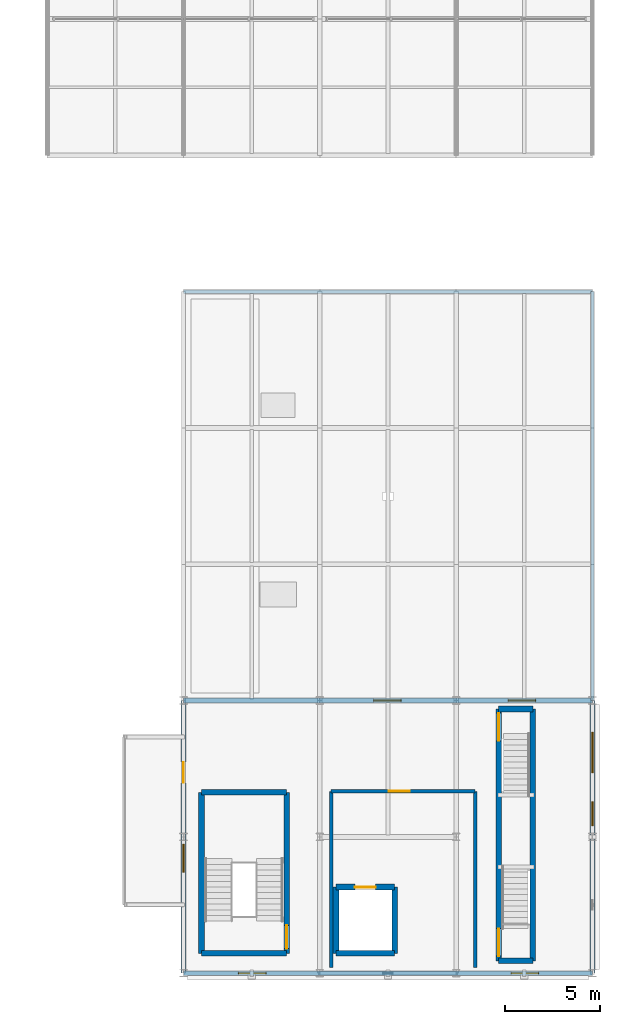
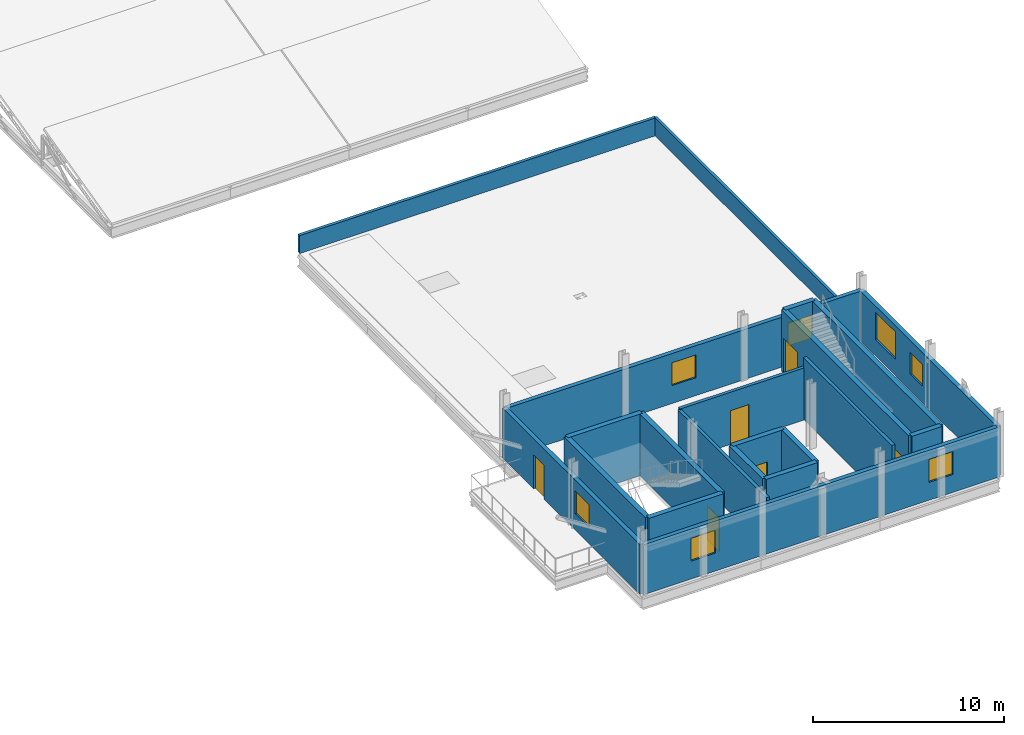
# One storey, part 104 of 144: 21 walls, 7 windows, 6 doors, 13 openings.
"""IFC4 building model written with IfcOpenShell, lengths in metres."""

from ifc_helpers import new_model, si_unit, direction, frame, frame_2d, origin, place, context, subcontext, project, spatial, rectangle, extrude, material, layer, layer_set, type_object, element, fill, save


model = new_model("IFC4")

# Units and contexts
model_context = context("Model", 3, precision=1e-05, world=origin(), true_north=direction((0.0, 1.0)))
body_context = subcontext(model_context, "Body", "Model", "MODEL_VIEW")
ifc_project = project(units=[si_unit("LENGTHUNIT", "METRE"), si_unit("AREAUNIT", "SQUARE_METRE"), si_unit("VOLUMEUNIT", "CUBIC_METRE"), si_unit("PLANEANGLEUNIT", "RADIAN"), si_unit("MASSUNIT", "GRAM", prefix="KILO")], contexts=[model_context])

# Site, building, storey
site_placement = place(None, origin())
site = spatial("IfcSite", under=ifc_project, at=site_placement, CompositionType="ELEMENT")
building_placement = place(site_placement, origin())
building = spatial("IfcBuilding", under=site, at=building_placement, Name="Yarey Park Central Fire Station", CompositionType="ELEMENT")
storey_placement = place(building_placement, frame((0.0, 0.0, 10.199951171875)))
storey = spatial("IfcBuildingStorey", under=building, at=storey_placement, Name="L03", CompositionType="ELEMENT", Elevation=10.199951171875)

# Walls
ifc_material_1 = material(Name="Concrete C35/45", Category="concrete")
ifc_layer_1 = layer(ifc_material_1, 0.1650390625)
ifc_layer_set_1 = layer_set([ifc_layer_1], Name="Concrete C35/45")
wall_type_1 = type_object("IfcWallType", Name="ENV_WALL_PAR165", PredefinedType="PARAPET", material=ifc_layer_set_1)
wall_1_placement = place(storey_placement, frame((165.60009765625, 14.39990234375, 0.0), z_axis=(0.0, 0.0, 1.0), x_axis=(0.0, 1.0, 0.0)))
element("IfcWall", 1, at=wall_1_placement, inside=storey, type_object=wall_type_1, Name="PAR_L03_10", PredefinedType="PARAPET", context=body_context, shape_type="SweptSolid", body=[
    extrude(rectangle(XDim=21.60009765625, YDim=0.1650390625, at=frame_2d((10.800048828125, 0.0))), origin(), (0.0, 0.0, 1.0), 1.150146484375),
])
ifc_layer_2 = layer(ifc_material_1, 0.18505859375)
ifc_layer_set_2 = layer_set([ifc_layer_2], Name="Concrete C35/45")
wall_type_2 = type_object("IfcWallType", Name="ENV_WALL_PAR185", PredefinedType="PARAPET", material=ifc_layer_set_2)
wall_2_placement = place(storey_placement, frame((144.0, 36.0, 0.0), z_axis=(0.0, 0.0, 1.0), x_axis=(1.0, 0.0, 0.0)))
element("IfcWall", 2, at=wall_2_placement, inside=storey, type_object=wall_type_2, Name="PAR_L03_09", PredefinedType="PARAPET", context=body_context, shape_type="SweptSolid", body=[
    extrude(rectangle(XDim=21.60009765625, YDim=0.18505859375, at=frame_2d((10.800048828125, 0.0))), origin(), (0.0, 0.0, 1.0), 1.150146484375),
])

# Wall, openings, windows
ifc_material_2 = material(Name="Concrete C40/50", Category="concrete")
ifc_layer_3 = layer(ifc_material_2, 0.2548828125)
ifc_layer_set_3 = layer_set([ifc_layer_3], Name="Concrete C40/50")
wall_type_3 = type_object("IfcWallType", Name="ENV_WALL_RC255", PredefinedType="STANDARD", material=ifc_layer_set_3)
wall_3_placement = place(storey_placement, frame((165.60009765625, 0.0, 0.0), z_axis=(0.0, 0.0, 1.0), x_axis=(-1.0, 0.0, 0.0)))
wall_3 = element("IfcWall", 3, at=wall_3_placement, inside=storey, type_object=wall_type_3, Name="EW_L03_DT_S", PredefinedType="STANDARD", context=body_context, shape_type="SweptSolid", body=[
    extrude(rectangle(XDim=21.60009765625, YDim=0.2548828125, at=frame_2d((10.800048828125, 0.0))), origin(), (0.0, 0.0, 1.0), 3.199951171875),
])
opening_1_placement = place(wall_3_placement, frame((17.239990234375, 0.0, 1.14990234375)))
opening_1 = element("IfcOpeningElement", 4, at=opening_1_placement, cuts=wall_3, Name="Opening WN-DT146", PredefinedType="OPENING", context=body_context, shape_type="SweptSolid", body=[
    extrude(rectangle(XDim=1.4599609375, YDim=1.4599609375, at=frame_2d((0.72998046875, 0.72998046875))), frame((0.0, 0.137451171875, 0.0), z_axis=(0.0, -1.0, 0.0), x_axis=(1.0, 0.0, 0.0)), (0.0, 0.0, 1.0), 0.27490234375),
])
opening_2_placement = place(wall_3_placement, frame((2.840087890625, 0.0, 1.14990234375)))
opening_2 = element("IfcOpeningElement", 5, at=opening_2_placement, cuts=wall_3, Name="Opening WN-DT146", PredefinedType="OPENING", context=body_context, shape_type="SweptSolid", body=[
    extrude(rectangle(XDim=1.4599609375, YDim=1.4599609375, at=frame_2d((0.72998046875, 0.72998046875))), frame((0.0, 0.137451171875, 0.0), z_axis=(0.0, -1.0, 0.0), x_axis=(1.0, 0.0, 0.0)), (0.0, 0.0, 1.0), 0.27490234375),
])
ifc_material_3 = material(Name="Laminated Hurricane Low-E Glass", Category="glass")
window_type_1 = type_object("IfcWindowType", Name="ENV_WIN_DT_146", PartitioningType="SINGLE_PANEL", PredefinedType="WINDOW", material=ifc_material_3)
window_1_placement = place(opening_1_placement, origin())
window_1 = element("IfcWindow", 6, at=window_1_placement, inside=storey, type_object=window_type_1, Name="WIN_L03_DTS_1", OverallHeight=1.4599609375, OverallWidth=1.4599609375, PartitioningType="SINGLE_PANEL", PredefinedType="WINDOW", context=body_context, shape_type="SweptSolid", body=[
    extrude(rectangle(XDim=1.4599609375, YDim=1.4599609375, at=frame_2d((0.72998046875, 0.72998046875))), frame((0.0, 0.030029296875, 0.0), z_axis=(0.0, -1.0, 0.0), x_axis=(1.0, 0.0, 0.0)), (0.0, 0.0, 1.0), 0.06005859375),
])
fill(opening_1, window_1)
window_2_placement = place(opening_2_placement, origin())
window_2 = element("IfcWindow", 7, at=window_2_placement, inside=storey, type_object=window_type_1, Name="WIN_L03_DTS_2", OverallHeight=1.4599609375, OverallWidth=1.4599609375, PartitioningType="SINGLE_PANEL", PredefinedType="WINDOW", context=body_context, shape_type="SweptSolid", body=[
    extrude(rectangle(XDim=1.4599609375, YDim=1.4599609375, at=frame_2d((0.72998046875, 0.72998046875))), frame((0.0, 0.030029296875, 0.0), z_axis=(0.0, -1.0, 0.0), x_axis=(1.0, 0.0, 0.0)), (0.0, 0.0, 1.0), 0.06005859375),
])
fill(opening_2, window_2)

wall_4_placement = place(storey_placement, frame((165.60009765625, 0.0, 0.0), z_axis=(0.0, 0.0, 1.0), x_axis=(0.0, 1.0, 0.0)))
wall_4 = element("IfcWall", 8, at=wall_4_placement, inside=storey, type_object=wall_type_3, Name="EW_L03_DT_E", PredefinedType="STANDARD", context=body_context, shape_type="SweptSolid", body=[
    extrude(rectangle(XDim=14.39990234375, YDim=0.2548828125, at=frame_2d((7.199951171875, 0.0))), origin(), (0.0, 0.0, 1.0), 3.199951171875),
])
opening_3_placement = place(wall_4_placement, frame((7.800048828125, 0.0, 1.050048828125)))
opening_3 = element("IfcOpeningElement", 9, at=opening_3_placement, cuts=wall_4, Name="Opening WN-DT126", PredefinedType="OPENING", context=body_context, shape_type="SweptSolid", body=[
    extrude(rectangle(XDim=1.260009765625, YDim=1.3798828125, at=frame_2d((0.6298828125, 0.68994140625))), frame((0.0, 0.137451171875, 0.0), z_axis=(0.0, -1.0, 0.0), x_axis=(1.0, 0.0, 0.0)), (0.0, 0.0, 1.0), 0.27490234375),
])
opening_4_placement = place(wall_4_placement, frame((10.60009765625, 0.0, 1.050048828125)))
opening_4 = element("IfcOpeningElement", 10, at=opening_4_placement, cuts=wall_4, Name="Opening WN-P212", PredefinedType="OPENING", context=body_context, shape_type="SweptSolid", body=[
    extrude(rectangle(XDim=2.1201171875, YDim=1.760009765625, at=frame_2d((1.06005859375, 0.8798828125))), frame((0.0, 0.137451171875, 0.0), z_axis=(0.0, -1.0, 0.0), x_axis=(1.0, 0.0, 0.0)), (0.0, 0.0, 1.0), 0.27490234375),
])
window_type_2 = type_object("IfcWindowType", Name="ENV_WIN_DT_126", PartitioningType="SINGLE_PANEL", PredefinedType="WINDOW", material=ifc_material_3)
window_3_placement = place(opening_3_placement, origin())
window_3 = element("IfcWindow", 11, at=window_3_placement, inside=storey, type_object=window_type_2, Name="WIN_L03_DTE_1", OverallHeight=1.3798828125, OverallWidth=1.260009765625, PartitioningType="SINGLE_PANEL", PredefinedType="WINDOW", context=body_context, shape_type="SweptSolid", body=[
    extrude(rectangle(XDim=1.260009765625, YDim=1.3798828125, at=frame_2d((0.6298828125, 0.68994140625))), frame((0.0, 0.030029296875, 0.0), z_axis=(0.0, -1.0, 0.0), x_axis=(1.0, 0.0, 0.0)), (0.0, 0.0, 1.0), 0.06005859375),
])
fill(opening_3, window_3)
window_type_3 = type_object("IfcWindowType", Name="ENV_WIN_PUNCH_212", PartitioningType="SINGLE_PANEL", PredefinedType="WINDOW", material=ifc_material_3)
window_4_placement = place(opening_4_placement, origin())
window_4 = element("IfcWindow", 12, at=window_4_placement, inside=storey, type_object=window_type_3, Name="WIN_L03_DTE_2", OverallHeight=1.760009765625, OverallWidth=2.1201171875, PartitioningType="SINGLE_PANEL", PredefinedType="WINDOW", context=body_context, shape_type="SweptSolid", body=[
    extrude(rectangle(XDim=2.1201171875, YDim=1.760009765625, at=frame_2d((1.06005859375, 0.8798828125))), frame((0.0, 0.030029296875, 0.0), z_axis=(0.0, -1.0, 0.0), x_axis=(1.0, 0.0, 0.0)), (0.0, 0.0, 1.0), 0.06005859375),
])
fill(opening_4, window_4)

# Wall, openings, door, window
wall_5_placement = place(storey_placement, frame((144.0, 14.39990234375, 0.0), z_axis=(0.0, 0.0, 1.0), x_axis=(0.0, -1.0, 0.0)))
wall_5 = element("IfcWall", 13, at=wall_5_placement, inside=storey, type_object=wall_type_3, Name="EW_L03_DT_W", PredefinedType="STANDARD", context=body_context, shape_type="SweptSolid", body=[
    extrude(rectangle(XDim=14.39990234375, YDim=0.2548828125, at=frame_2d((7.199951171875, 0.0))), origin(), (0.0, 0.0, 1.0), 3.199951171875),
])
opening_5_placement = place(wall_5_placement, frame((3.25, 0.0, 0.0)))
opening_5 = element("IfcOpeningElement", 14, at=opening_5_placement, cuts=wall_5, Name="Opening TD-110", PredefinedType="OPENING", context=body_context, shape_type="SweptSolid", body=[
    extrude(rectangle(XDim=1.10009765625, YDim=2.179931640625, at=frame_2d((0.550048828125, 1.08984375))), frame((0.0, 0.137451171875, 0.0), z_axis=(0.0, -1.0, 0.0), x_axis=(1.0, 0.0, 0.0)), (0.0, 0.0, 1.0), 0.27490234375),
])
opening_6_placement = place(wall_5_placement, frame((7.60009765625, 0.0, 1.050048828125)))
opening_6 = element("IfcOpeningElement", 15, at=opening_6_placement, cuts=wall_5, Name="Opening WN-DT146", PredefinedType="OPENING", context=body_context, shape_type="SweptSolid", body=[
    extrude(rectangle(XDim=1.4599609375, YDim=1.4599609375, at=frame_2d((0.72998046875, 0.72998046875))), frame((0.0, 0.137451171875, 0.0), z_axis=(0.0, -1.0, 0.0), x_axis=(1.0, 0.0, 0.0)), (0.0, 0.0, 1.0), 0.27490234375),
])
ifc_material_4 = material(Name="Galvanized Hollow Metal Door", Category="metal")
door_type_1 = type_object("IfcDoorType", Name="ENV_DOOR_BAL1100", OperationType="NOTDEFINED", PredefinedType="DOOR", material=ifc_material_4)
door_1_placement = place(opening_5_placement, origin())
door_1 = element("IfcDoor", 16, at=door_1_placement, inside=storey, type_object=door_type_1, Name="DOOR_L03_DT_BALC", OperationType="SINGLE_SWING_RIGHT", OverallHeight=2.179931640625, OverallWidth=1.10009765625, PredefinedType="DOOR", context=body_context, shape_type="SweptSolid", body=[
    extrude(rectangle(XDim=1.10009765625, YDim=2.179931640625, at=frame_2d((0.550048828125, 1.08984375))), frame((0.0, 0.02490234375, 0.0), z_axis=(0.0, -1.0, 0.0), x_axis=(1.0, 0.0, 0.0)), (0.0, 0.0, 1.0), 0.050048828125),
])
fill(opening_5, door_1)
window_5_placement = place(opening_6_placement, origin())
window_5 = element("IfcWindow", 17, at=window_5_placement, inside=storey, type_object=window_type_1, Name="WIN_L03_DTW_RAP", OverallHeight=1.4599609375, OverallWidth=1.4599609375, PartitioningType="SINGLE_PANEL", PredefinedType="WINDOW", context=body_context, shape_type="SweptSolid", body=[
    extrude(rectangle(XDim=1.4599609375, YDim=1.4599609375, at=frame_2d((0.72998046875, 0.72998046875))), frame((0.0, 0.030029296875, 0.0), z_axis=(0.0, -1.0, 0.0), x_axis=(1.0, 0.0, 0.0)), (0.0, 0.0, 1.0), 0.06005859375),
])
fill(opening_6, window_5)

# Wall, openings, windows
wall_6_placement = place(storey_placement, frame((165.60009765625, 14.39990234375, 0.0), z_axis=(0.0, 0.0, 1.0), x_axis=(-1.0, 0.0, 0.0)))
wall_6 = element("IfcWall", 18, at=wall_6_placement, inside=storey, type_object=wall_type_3, Name="EW_L03_DT_N", PredefinedType="STANDARD", context=body_context, shape_type="SweptSolid", body=[
    extrude(rectangle(XDim=21.60009765625, YDim=0.2548828125, at=frame_2d((10.800048828125, 0.0))), origin(), (0.0, 0.0, 1.0), 3.199951171875),
])
opening_7_placement = place(wall_6_placement, frame((3.0, 0.0, 1.14990234375)))
opening_7 = element("IfcOpeningElement", 19, at=opening_7_placement, cuts=wall_6, Name="Opening WN-DT146", PredefinedType="OPENING", context=body_context, shape_type="SweptSolid", body=[
    extrude(rectangle(XDim=1.4599609375, YDim=1.4599609375, at=frame_2d((0.72998046875, 0.72998046875))), frame((0.0, 0.137451171875, 0.0), z_axis=(0.0, -1.0, 0.0), x_axis=(1.0, 0.0, 0.0)), (0.0, 0.0, 1.0), 0.27490234375),
])
opening_8_placement = place(wall_6_placement, frame((10.10009765625, 0.0, 1.14990234375)))
opening_8 = element("IfcOpeningElement", 20, at=opening_8_placement, cuts=wall_6, Name="Opening WN-DT146", PredefinedType="OPENING", context=body_context, shape_type="SweptSolid", body=[
    extrude(rectangle(XDim=1.4599609375, YDim=1.4599609375, at=frame_2d((0.72998046875, 0.72998046875))), frame((0.0, 0.137451171875, 0.0), z_axis=(0.0, -1.0, 0.0), x_axis=(1.0, 0.0, 0.0)), (0.0, 0.0, 1.0), 0.27490234375),
])
window_6_placement = place(opening_7_placement, origin())
window_6 = element("IfcWindow", 21, at=window_6_placement, inside=storey, type_object=window_type_1, Name="WIN_L03_DTN_1", OverallHeight=1.4599609375, OverallWidth=1.4599609375, PartitioningType="SINGLE_PANEL", PredefinedType="WINDOW", context=body_context, shape_type="SweptSolid", body=[
    extrude(rectangle(XDim=1.4599609375, YDim=1.4599609375, at=frame_2d((0.72998046875, 0.72998046875))), frame((0.0, 0.030029296875, 0.0), z_axis=(0.0, -1.0, 0.0), x_axis=(1.0, 0.0, 0.0)), (0.0, 0.0, 1.0), 0.06005859375),
])
fill(opening_7, window_6)
window_7_placement = place(opening_8_placement, origin())
window_7 = element("IfcWindow", 22, at=window_7_placement, inside=storey, type_object=window_type_1, Name="WIN_L03_DTN_2", OverallHeight=1.4599609375, OverallWidth=1.4599609375, PartitioningType="SINGLE_PANEL", PredefinedType="WINDOW", context=body_context, shape_type="SweptSolid", body=[
    extrude(rectangle(XDim=1.4599609375, YDim=1.4599609375, at=frame_2d((0.72998046875, 0.72998046875))), frame((0.0, 0.030029296875, 0.0), z_axis=(0.0, -1.0, 0.0), x_axis=(1.0, 0.0, 0.0)), (0.0, 0.0, 1.0), 0.06005859375),
])
fill(opening_8, window_7)

# Walls
ifc_layer_4 = layer(ifc_material_2, 0.27001953125)
ifc_layer_set_4 = layer_set([ifc_layer_4], Name="Concrete C40/50")
wall_type_4 = type_object("IfcWallType", Name="INT_CORE_RC270", PredefinedType="SHEAR", material=ifc_layer_set_4)
for number, where, z_axis, x_axis, name in (
    (23, (144.949951171875, 1.050048828125, 0.0), (0.0, 0.0, 1.0), (1.0, 0.0, 0.0), "CWALL_C5_L03_S"),
    (24, (149.449951171875, 9.550048828125, 0.0), (0.0, 0.0, 1.0), (-1.0, 0.0, 0.0), "CWALL_C5_L03_N"),
):
    element("IfcWall", number, at=place(storey_placement, frame(where, z_axis=z_axis, x_axis=x_axis)), inside=storey, type_object=wall_type_4, Name=name, PredefinedType="SHEAR", context=body_context, shape_type="SweptSolid", body=[
        extrude(rectangle(XDim=4.5, YDim=0.300048828125, at=frame_2d((2.25, 0.0))), origin(), (0.0, 0.0, 1.0), 3.949951171875),
    ])
wall_7_placement = place(storey_placement, frame((144.949951171875, 9.550048828125, 0.0), z_axis=(0.0, 0.0, 1.0), x_axis=(0.0, -1.0, 0.0)))
element("IfcWall", 25, at=wall_7_placement, inside=storey, type_object=wall_type_4, Name="CWALL_C5_L03_W", PredefinedType="SHEAR", context=body_context, shape_type="SweptSolid", body=[
    extrude(rectangle(XDim=8.5, YDim=0.300048828125, at=frame_2d((4.25, 0.0))), origin(), (0.0, 0.0, 1.0), 3.949951171875),
])

# Wall, opening, door
wall_8_placement = place(storey_placement, frame((149.449951171875, 1.050048828125, 0.0), z_axis=(0.0, 0.0, 1.0), x_axis=(0.0, 1.0, 0.0)))
wall_8 = element("IfcWall", 26, at=wall_8_placement, inside=storey, type_object=wall_type_4, Name="CWALL_C5_L03_E", PredefinedType="SHEAR", context=body_context, shape_type="SweptSolid", body=[
    extrude(rectangle(XDim=8.5, YDim=0.300048828125, at=frame_2d((4.25, 0.0))), origin(), (0.0, 0.0, 1.0), 3.949951171875),
])
opening_9_placement = place(wall_8_placement, frame((0.25, 0.0, 0.0)))
opening_9 = element("IfcOpeningElement", 27, at=opening_9_placement, cuts=wall_8, Name="Opening SD-122", PredefinedType="OPENING", context=body_context, shape_type="SweptSolid", body=[
    extrude(rectangle(XDim=1.219970703125, YDim=2.159912109375, at=frame_2d((0.60986328125, 1.080078125))), frame((0.0, 0.159912109375, 0.0), z_axis=(0.0, -1.0, 0.0), x_axis=(1.0, 0.0, 0.0)), (0.0, 0.0, 1.0), 0.320068359375),
])
door_type_2 = type_object("IfcDoorType", Name="DR_STAIR_1220", OperationType="NOTDEFINED", PredefinedType="DOOR", material=ifc_material_4)
door_2_placement = place(opening_9_placement, origin())
door_2 = element("IfcDoor", 28, at=door_2_placement, inside=storey, type_object=door_type_2, Name="DOOR_STAIR_C5_L03", OperationType="SINGLE_SWING_LEFT", OverallHeight=2.159912109375, OverallWidth=1.219970703125, PredefinedType="DOOR", context=body_context, shape_type="SweptSolid", body=[
    extrude(rectangle(XDim=1.219970703125, YDim=2.159912109375, at=frame_2d((0.60986328125, 1.080078125))), frame((0.0, 0.02490234375, 0.0), z_axis=(0.0, -1.0, 0.0), x_axis=(1.0, 0.0, 0.0)), (0.0, 0.0, 1.0), 0.050048828125),
])
fill(opening_9, door_2)

# Wall
wall_9_placement = place(storey_placement, frame((152.050048828125, 1.050048828125, 0.0), z_axis=(0.0, 0.0, 1.0), x_axis=(1.0, 0.0, 0.0)))
element("IfcWall", 29, at=wall_9_placement, inside=storey, type_object=wall_type_4, Name="LWALL_C5_L03_S", PredefinedType="SHEAR", context=body_context, shape_type="SweptSolid", body=[
    extrude(rectangle(XDim=3.099853515625, YDim=0.300048828125, at=frame_2d((1.5498046875, 0.0))), origin(), (0.0, 0.0, 1.0), 3.949951171875),
])

# Wall, opening, door
wall_10_placement = place(storey_placement, frame((155.14990234375, 4.550048828125, 0.0), z_axis=(0.0, 0.0, 1.0), x_axis=(-1.0, 0.0, 0.0)))
wall_10 = element("IfcWall", 30, at=wall_10_placement, inside=storey, type_object=wall_type_4, Name="LWALL_C5_L03_N", PredefinedType="SHEAR", context=body_context, shape_type="SweptSolid", body=[
    extrude(rectangle(XDim=3.099853515625, YDim=0.300048828125, at=frame_2d((1.5498046875, 0.0))), origin(), (0.0, 0.0, 1.0), 3.949951171875),
])
opening_10_placement = place(wall_10_placement, frame((1.0, 0.0, 0.0)))
opening_10 = element("IfcOpeningElement", 31, at=opening_10_placement, cuts=wall_10, Name="Opening LD-11", PredefinedType="OPENING", context=body_context, shape_type="SweptSolid", body=[
    extrude(rectangle(XDim=1.10009765625, YDim=2.219970703125, at=frame_2d((0.550048828125, 1.10986328125))), frame((0.0, 0.159912109375, 0.0), z_axis=(0.0, -1.0, 0.0), x_axis=(1.0, 0.0, 0.0)), (0.0, 0.0, 1.0), 0.320068359375),
])
ifc_material_5 = material(Name="Stainless Steel AISI 316L", Category="steel")
door_type_3 = type_object("IfcDoorType", Name="DR_LD_1100", OperationType="NOTDEFINED", PredefinedType="DOOR", material=ifc_material_5)
door_3_placement = place(opening_10_placement, origin())
door_3 = element("IfcDoor", 32, at=door_3_placement, inside=storey, type_object=door_type_3, Name="Lift Landing Door LF-5-L03", OperationType="SLIDING_TO_LEFT", OverallHeight=2.219970703125, OverallWidth=1.10009765625, PredefinedType="DOOR", context=body_context, shape_type="SweptSolid", body=[
    extrude(rectangle(XDim=1.10009765625, YDim=2.219970703125, at=frame_2d((0.550048828125, 1.10986328125))), frame((0.0, 0.02490234375, 0.0), z_axis=(0.0, -1.0, 0.0), x_axis=(1.0, 0.0, 0.0)), (0.0, 0.0, 1.0), 0.050048828125),
])
fill(opening_10, door_3)

# Walls
for number, where, z_axis, x_axis, name in (
    (33, (152.050048828125, 4.550048828125, 0.0), (0.0, 0.0, 1.0), (0.0, -1.0, 0.0), "LWALL_C5_L03_W"),
    (34, (155.14990234375, 1.050048828125, 0.0), (0.0, 0.0, 1.0), (0.0, 1.0, 0.0), "LWALL_C5_L03_E"),
):
    element("IfcWall", number, at=place(storey_placement, frame(where, z_axis=z_axis, x_axis=x_axis)), inside=storey, type_object=wall_type_4, Name=name, PredefinedType="SHEAR", context=body_context, shape_type="SweptSolid", body=[
        extrude(rectangle(XDim=3.5, YDim=0.300048828125, at=frame_2d((1.75, 0.0))), origin(), (0.0, 0.0, 1.0), 3.949951171875),
    ])
for number, where, z_axis, x_axis, name in (
    (35, (160.64990234375, 0.64990234375, 0.0), (0.0, 0.0, 1.0), (1.0, 0.0, 0.0), "CWALL_C6_L03_S"),
    (36, (162.449951171875, 13.949951171875, 0.0), (0.0, 0.0, 1.0), (-1.0, 0.0, 0.0), "CWALL_C6_L03_N"),
):
    element("IfcWall", number, at=place(storey_placement, frame(where, z_axis=z_axis, x_axis=x_axis)), inside=storey, type_object=wall_type_4, Name=name, PredefinedType="SHEAR", context=body_context, shape_type="SweptSolid", body=[
        extrude(rectangle(XDim=1.800048828125, YDim=0.300048828125, at=frame_2d((0.89990234375, 0.0))), origin(), (0.0, 0.0, 1.0), 3.949951171875),
    ])

# Wall, openings, doors
wall_11_placement = place(storey_placement, frame((160.64990234375, 13.949951171875, 0.0), z_axis=(0.0, 0.0, 1.0), x_axis=(0.0, -1.0, 0.0)))
wall_11 = element("IfcWall", 37, at=wall_11_placement, inside=storey, type_object=wall_type_4, Name="CWALL_C6_L03_W", PredefinedType="SHEAR", context=body_context, shape_type="SweptSolid", body=[
    extrude(rectangle(XDim=13.300048828125, YDim=0.300048828125, at=frame_2d((6.64990234375, 0.0))), origin(), (0.0, 0.0, 1.0), 3.949951171875),
])
opening_11_placement = place(wall_11_placement, frame((11.590087890625, 0.0, 0.0)))
opening_11 = element("IfcOpeningElement", 38, at=opening_11_placement, cuts=wall_11, Name="Opening SD-146", PredefinedType="OPENING", context=body_context, shape_type="SweptSolid", body=[
    extrude(rectangle(XDim=1.4599609375, YDim=2.239990234375, at=frame_2d((0.72998046875, 1.1201171875))), frame((0.0, 0.159912109375, 0.0), z_axis=(0.0, -1.0, 0.0), x_axis=(1.0, 0.0, 0.0)), (0.0, 0.0, 1.0), 0.320068359375),
])
opening_12_placement = place(wall_11_placement, frame((0.219970703125, 0.0, 0.0)))
opening_12 = element("IfcOpeningElement", 39, at=opening_12_placement, cuts=wall_11, Name="Opening SD-146", PredefinedType="OPENING", context=body_context, shape_type="SweptSolid", body=[
    extrude(rectangle(XDim=1.4599609375, YDim=2.239990234375, at=frame_2d((0.72998046875, 1.1201171875))), frame((0.0, 0.159912109375, 0.0), z_axis=(0.0, -1.0, 0.0), x_axis=(1.0, 0.0, 0.0)), (0.0, 0.0, 1.0), 0.320068359375),
])
door_type_4 = type_object("IfcDoorType", Name="DR_STAIR_1460", OperationType="NOTDEFINED", PredefinedType="DOOR", material=ifc_material_4)
door_4_placement = place(opening_11_placement, origin())
door_4 = element("IfcDoor", 40, at=door_4_placement, inside=storey, type_object=door_type_4, Name="DOOR_STAIR_C6_L03", OperationType="SINGLE_SWING_RIGHT", OverallHeight=2.239990234375, OverallWidth=1.4599609375, PredefinedType="DOOR", context=body_context, shape_type="SweptSolid", body=[
    extrude(rectangle(XDim=1.4599609375, YDim=2.239990234375, at=frame_2d((0.72998046875, 1.1201171875))), frame((0.0, 0.02490234375, 0.0), z_axis=(0.0, -1.0, 0.0), x_axis=(1.0, 0.0, 0.0)), (0.0, 0.0, 1.0), 0.050048828125),
])
fill(opening_11, door_4)
door_5_placement = place(opening_12_placement, origin())
door_5 = element("IfcDoor", 41, at=door_5_placement, inside=storey, type_object=door_type_4, Name="DOOR_STAIR_C6_L03_ARR", OperationType="SINGLE_SWING_LEFT", OverallHeight=2.239990234375, OverallWidth=1.4599609375, PredefinedType="DOOR", context=body_context, shape_type="SweptSolid", body=[
    extrude(rectangle(XDim=1.4599609375, YDim=2.239990234375, at=frame_2d((0.72998046875, 1.1201171875))), frame((0.0, 0.02490234375, 0.0), z_axis=(0.0, -1.0, 0.0), x_axis=(1.0, 0.0, 0.0)), (0.0, 0.0, 1.0), 0.050048828125),
])
fill(opening_12, door_5)

# Wall
wall_12_placement = place(storey_placement, frame((162.449951171875, 0.64990234375, 0.0), z_axis=(0.0, 0.0, 1.0), x_axis=(0.0, 1.0, 0.0)))
element("IfcWall", 42, at=wall_12_placement, inside=storey, type_object=wall_type_4, Name="CWALL_C6_L03_E", PredefinedType="SHEAR", context=body_context, shape_type="SweptSolid", body=[
    extrude(rectangle(XDim=13.300048828125, YDim=0.300048828125, at=frame_2d((6.64990234375, 0.0))), origin(), (0.0, 0.0, 1.0), 3.949951171875),
])

# Wall, opening, door
ifc_layer_5 = layer(ifc_material_1, 0.18994140625)
ifc_layer_set_5 = layer_set([ifc_layer_5], Name="Concrete C35/45")
wall_type_5 = type_object("IfcWallType", Name="INT_WALL_CMU190", PredefinedType="STANDARD", material=ifc_layer_set_5)
wall_13_placement = place(storey_placement, frame((159.39990234375, 9.60009765625, 0.0), z_axis=(0.0, 0.0, 1.0), x_axis=(-1.0, 0.0, 0.0)))
wall_13 = element("IfcWall", 43, at=wall_13_placement, inside=storey, type_object=wall_type_5, Name="PART_SPC_L03_DT_PROP_NORTH", PredefinedType="STANDARD", context=body_context, shape_type="SweptSolid", body=[
    extrude(rectangle(XDim=7.599853515625, YDim=0.18994140625, at=frame_2d((3.7998046875, 0.0))), origin(), (0.0, 0.0, 1.0), 3.338134765625),
])
opening_13_placement = place(wall_13_placement, frame((3.43994140625, 0.0, 0.0)))
opening_13 = element("IfcOpeningElement", 44, at=opening_13_placement, cuts=wall_13, Name="Opening FD-112", PredefinedType="OPENING", context=body_context, shape_type="SweptSolid", body=[
    extrude(rectangle(XDim=1.1201171875, YDim=2.159912109375, at=frame_2d((0.56005859375, 1.080078125))), frame((0.0, 0.10498046875, 0.0), z_axis=(0.0, -1.0, 0.0), x_axis=(1.0, 0.0, 0.0)), (0.0, 0.0, 1.0), 0.2099609375),
])
door_type_5 = type_object("IfcDoorType", Name="DR_FD_1120", OperationType="NOTDEFINED", PredefinedType="DOOR", material=ifc_material_4)
door_6_placement = place(opening_13_placement, origin())
door_6 = element("IfcDoor", 45, at=door_6_placement, inside=storey, type_object=door_type_5, Name="DOOR_SPC_L03_DT_PROP", OperationType="SINGLE_SWING_RIGHT", OverallHeight=2.159912109375, OverallWidth=1.1201171875, PredefinedType="DOOR", context=body_context, shape_type="SweptSolid", body=[
    extrude(rectangle(XDim=1.1201171875, YDim=2.159912109375, at=frame_2d((0.56005859375, 1.080078125))), frame((0.0, 0.02490234375, 0.0), z_axis=(0.0, -1.0, 0.0), x_axis=(1.0, 0.0, 0.0)), (0.0, 0.0, 1.0), 0.050048828125),
])
fill(opening_13, door_6)

# Walls
wall_14_placement = place(storey_placement, frame((151.800048828125, 9.60009765625, 0.0), z_axis=(0.0, 0.0, 1.0), x_axis=(0.0, -1.0, 0.0)))
element("IfcWall", 46, at=wall_14_placement, inside=storey, type_object=wall_type_5, Name="PART_SPC_L03_DT_PROP_WEST", PredefinedType="STANDARD", context=body_context, shape_type="SweptSolid", body=[
    extrude(rectangle(XDim=9.300048828125, YDim=0.18994140625, at=frame_2d((4.64990234375, 0.0))), origin(), (0.0, 0.0, 1.0), 3.257080078125),
])
wall_15_placement = place(storey_placement, frame((159.39990234375, 0.300048828125, 0.0), z_axis=(0.0, 0.0, 1.0), x_axis=(0.0, 1.0, 0.0)))
element("IfcWall", 47, at=wall_15_placement, inside=storey, type_object=wall_type_5, Name="PART_SPC_L03_DT_PROP_EAST", PredefinedType="STANDARD", context=body_context, shape_type="SweptSolid", body=[
    extrude(rectangle(XDim=9.300048828125, YDim=0.18994140625, at=frame_2d((4.64990234375, 0.0))), origin(), (0.0, 0.0, 1.0), 3.949951171875),
])

save(model, "model.ifc")
